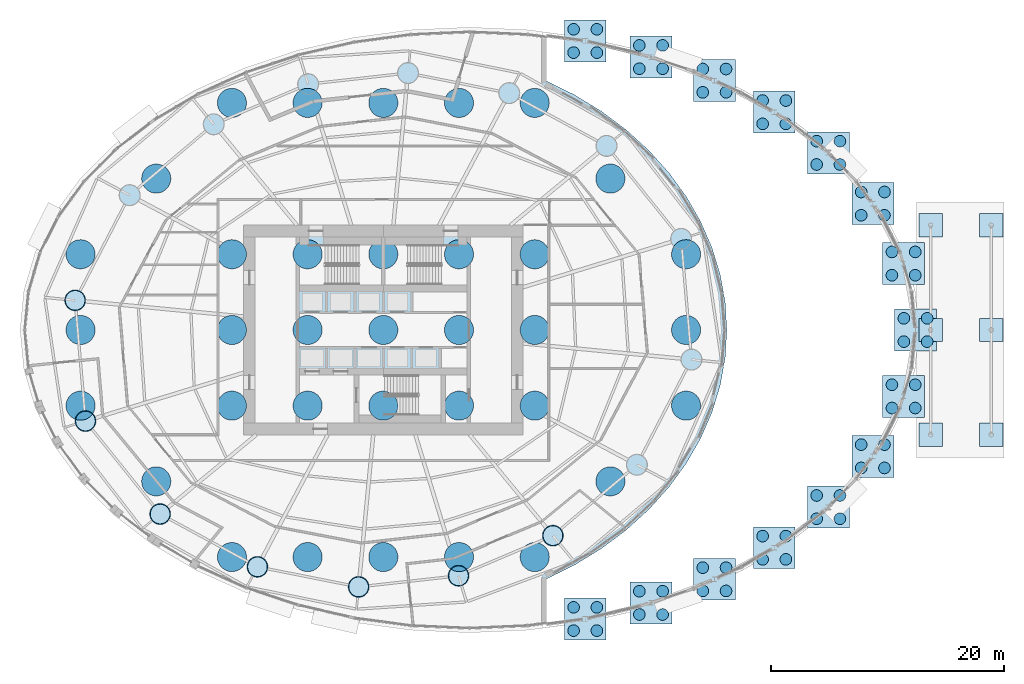
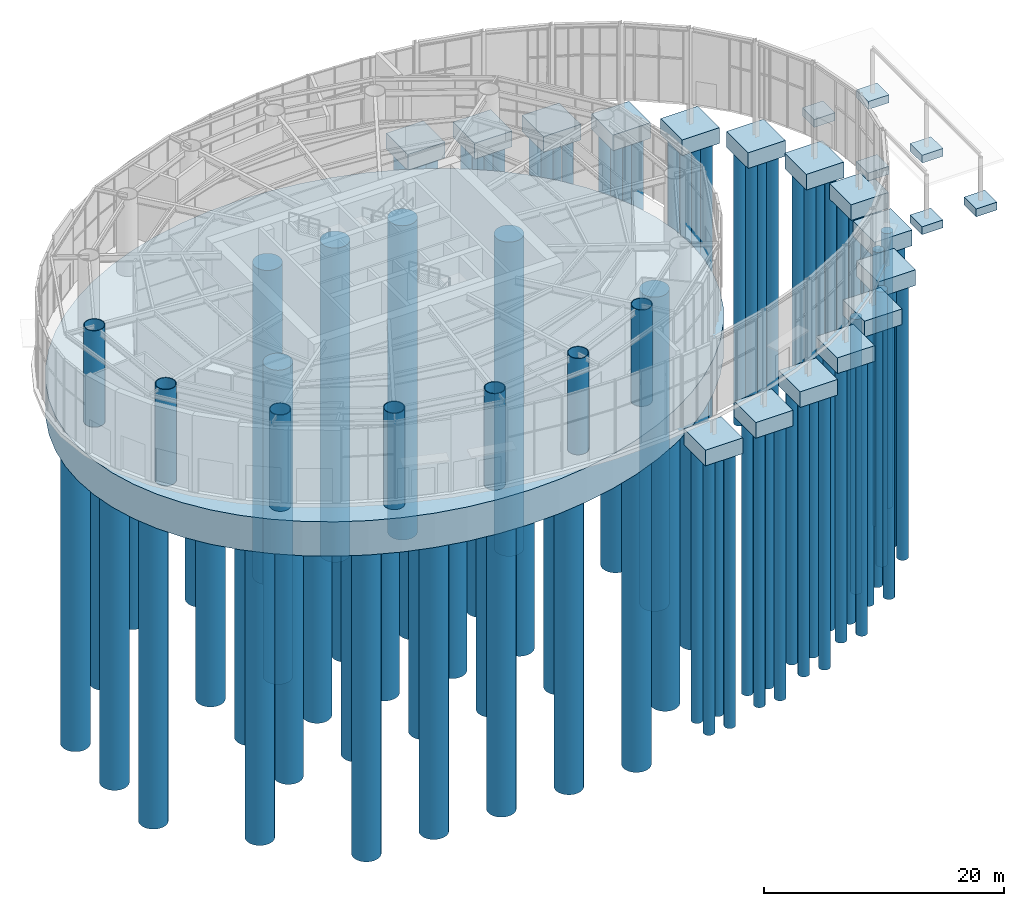
# One storey, part 1 of 27: 95 piles, 22 footings, 7 columns.
"""IFC4 building model written with IfcOpenShell, lengths in metres."""

import ifcopenshell
import ifcopenshell.guid

model = None  # the IFC model being written
_history = None  # IfcOwnerHistory: only IFC2X3 demands one
_inside = {}  # id of a spatial element -> (the spatial element, [elements in it])
_under = {}  # id of a project, library or spatial element -> (it, [spatial elements below it])
_declared = {}  # id of a project -> (the project, [libraries it declares])
_typed = {}  # id of a type object -> (the type object, [elements of that type])
_made_of = {}  # id of a material, layer set ... -> (it, [elements and type objects made of it])


def new_model(schema):
    """Start an empty IFC model of exactly this schema.

    Asked for "IFC4X3", IfcOpenShell would pick the latest addendum, in which some entities
    have other attributes; the version numbers below select the first issue.
    IFC2X3 requires an IfcOwnerHistory on every rooted entity: one is made here for all.
    """
    global model, _history
    if schema == "IFC4X3":
        model = ifcopenshell.file(schema_version=(4, 3, 0, 0))
    else:
        model = ifcopenshell.file(schema=schema)
    _inside.clear()
    _under.clear()
    _declared.clear()
    _typed.clear()
    _made_of.clear()
    _history = None
    if model.schema == "IFC2X3":
        org = make("IfcOrganization", Name="unknown")
        user = make(
            "IfcPersonAndOrganization",
            ThePerson=make("IfcPerson", FamilyName="unknown"),
            TheOrganization=org,
        )
        app = make(
            "IfcApplication",
            ApplicationDeveloper=org,
            Version="unknown",
            ApplicationFullName="unknown",
            ApplicationIdentifier="unknown",
        )
        _history = make(
            "IfcOwnerHistory",
            OwningUser=user,
            OwningApplication=app,
            ChangeAction="ADDED",
            CreationDate=0,
        )
    return model


def make(cls, **values):
    """One entity of the class cls with the attributes given. An attribute that is None is left unset."""
    return model.create_entity(
        cls, **{name: value for name, value in values.items() if value is not None}
    )


def rooted(cls, **values):
    """An entity with a GlobalId (a new one), such as an element, a storey or a relation."""
    return make(cls, GlobalId=ifcopenshell.guid.new(), OwnerHistory=_history, **values)


def si_unit(unit_type, name, prefix=None):
    """IfcSIUnit, for example si_unit("LENGTHUNIT", "METRE", prefix="MILLI")."""
    return make("IfcSIUnit", UnitType=unit_type, Prefix=prefix, Name=name)


def assignment(units):
    """IfcUnitAssignment: the units of a project."""
    return None if units is None else make("IfcUnitAssignment", Units=units)


def point(xyz):
    """IfcCartesianPoint."""
    return None if xyz is None else make("IfcCartesianPoint", Coordinates=xyz)


def direction(xyz):
    """IfcDirection."""
    return None if xyz is None else make("IfcDirection", DirectionRatios=xyz)


def frame(location, z_axis=None, x_axis=None):
    """IfcAxis2Placement3D, a coordinate frame: its origin and axes. An axis left out is left unset."""
    return make(
        "IfcAxis2Placement3D",
        Location=point(location),
        Axis=direction(z_axis),
        RefDirection=direction(x_axis),
    )


def frame_2d(location, x_axis=None):
    """IfcAxis2Placement2D, a coordinate frame in the plane: its origin and x axis."""
    return make(
        "IfcAxis2Placement2D", Location=point(location), RefDirection=direction(x_axis)
    )


def origin():
    """The frame at (0, 0, 0) with its axes left unset."""
    return frame((0.0, 0.0, 0.0))


def origin_2d():
    """The frame at (0, 0) in the plane with its x axis left unset."""
    return frame_2d((0.0, 0.0))


def place(relative_to, where):
    """IfcLocalPlacement: puts the frame where relative to a parent placement (None: the world)."""
    return make(
        "IfcLocalPlacement", PlacementRelTo=relative_to, RelativePlacement=where
    )


def context(
    kind, dimensions, precision=None, world=None, true_north=None, identifier=None
):
    """IfcGeometricRepresentationContext, for example the 3D "Model" context."""
    return make(
        "IfcGeometricRepresentationContext",
        ContextIdentifier=identifier,
        ContextType=kind,
        CoordinateSpaceDimension=dimensions,
        Precision=precision,
        WorldCoordinateSystem=world,
        TrueNorth=true_north,
    )


def subcontext(parent, identifier, kind, view, scale=None):
    """IfcGeometricRepresentationSubContext, for example "Body" below "Model"."""
    return make(
        "IfcGeometricRepresentationSubContext",
        ContextIdentifier=identifier,
        ContextType=kind,
        ParentContext=parent,
        TargetScale=scale,
        TargetView=view,
    )


def project(units=None, contexts=None):
    """IfcProject with its units and contexts."""
    return rooted(
        "IfcProject",
        Name="project",
        RepresentationContexts=contexts,
        UnitsInContext=assignment(units),
    )


def spatial(cls, under=None, at=None, **own):
    """A site, building, storey or space (cls), placed at a placement, below another one or the project."""
    s = rooted(cls, ObjectPlacement=at, **own)
    if under is not None:
        _under.setdefault(under.id(), (under, []))[1].append(s)
    return s


def polyline(points):
    """IfcPolyline through the points."""
    return make("IfcPolyline", Points=[point(p) for p in points])


def profile(cls, at=None, kind="AREA", **sizes):
    """A parametric profile (cls). Its sizes go by their IFC names, for example OverallWidth=200.0."""
    return make(cls, ProfileType=kind, Position=at, **sizes)


def rectangle(**sizes):
    """IfcRectangleProfileDef."""
    return profile("IfcRectangleProfileDef", **sizes)


def circle(**sizes):
    """IfcCircleProfileDef."""
    return profile("IfcCircleProfileDef", **sizes)


def hollow_circle(**sizes):
    """IfcCircleHollowProfileDef."""
    return profile("IfcCircleHollowProfileDef", **sizes)


def outline(outer, holes=None, kind="AREA"):
    """IfcArbitraryClosedProfileDef: a profile drawn as a closed curve; with holes, ...WithVoids."""
    if holes is None:
        return make("IfcArbitraryClosedProfileDef", ProfileType=kind, OuterCurve=outer)
    return make(
        "IfcArbitraryProfileDefWithVoids",
        ProfileType=kind,
        OuterCurve=outer,
        InnerCurves=holes,
    )


def extrude(swept, where, along, depth):
    """IfcExtrudedAreaSolid: the profile swept, set in the frame where, extruded along a direction by depth."""
    return make(
        "IfcExtrudedAreaSolid",
        SweptArea=swept,
        Position=where,
        ExtrudedDirection=direction(along),
        Depth=depth,
    )


def shape(context_of_items, identifier, shape_type, items):
    """IfcShapeRepresentation: the items that make up one representation, for example the "Body"."""
    return make(
        "IfcShapeRepresentation",
        ContextOfItems=context_of_items,
        RepresentationIdentifier=identifier,
        RepresentationType=shape_type,
        Items=items,
    )


def material(Name=None, Category=None):
    """IfcMaterial."""
    return make("IfcMaterial", Name=Name, Category=Category)


def layer(
    of_material, thickness, ventilated=None, Name=None, Category=None, Priority=None
):
    """IfcMaterialLayer: one layer of a wall or slab, of a material (None: an air gap)."""
    return make(
        "IfcMaterialLayer",
        Material=of_material,
        LayerThickness=thickness,
        IsVentilated=ventilated,
        Name=Name,
        Category=Category,
        Priority=Priority,
    )


def layer_set(layers, Name=None):
    """IfcMaterialLayerSet."""
    return make("IfcMaterialLayerSet", MaterialLayers=layers, LayerSetName=Name)


def material_profile(
    of_material, cross_section, Name=None, Category=None, Priority=None
):
    """IfcMaterialProfile: a cross section and its material."""
    return make(
        "IfcMaterialProfile",
        Name=Name,
        Material=of_material,
        Profile=cross_section,
        Priority=Priority,
        Category=Category,
    )


def profile_set(profiles, Name=None, composite=None):
    """IfcMaterialProfileSet."""
    return make(
        "IfcMaterialProfileSet",
        Name=Name,
        MaterialProfiles=profiles,
        CompositeProfile=composite,
    )


def made_of(thing, what):
    """Note that an element or type object is made of a material, layer set ...; save() writes the relation."""
    if what is not None:
        _made_of.setdefault(what.id(), (what, []))[1].append(thing)
    return thing


def type_object(cls, material=None, **own):
    """A type object (cls), such as IfcWallType, which elements share."""
    return made_of(rooted(cls, **own), material)


def element(
    cls,
    number,
    at=None,
    inside=None,
    cuts=None,
    type_object=None,
    material=None,
    context=None,
    identifier="Body",
    shape_type=None,
    held_by="IfcProductDefinitionShape",
    body=None,
    shapes=None,
    **own,
):
    """One element of the class cls, such as IfcWall. Its Tag is "e" and its number.

    at: its placement. inside: the storey or other place that contains it. cuts: it is an
    opening in that element (IfcRelVoidsElement). A single representation is given by context,
    identifier, shape_type and body (its items); several are given by shapes. held_by: the class
    of the entity that holds the representations. save() writes the other relations.
    """
    e = rooted(cls, Tag="e%d" % number, ObjectPlacement=at, **own)
    if body is not None:
        shapes = [shape(context, identifier, shape_type, body)]
    if shapes is not None:
        e.Representation = make(held_by, Representations=shapes)
    if inside is not None:
        _inside.setdefault(inside.id(), (inside, []))[1].append(e)
    if cuts is not None:
        rooted(
            "IfcRelVoidsElement", RelatingBuildingElement=cuts, RelatedOpeningElement=e
        )
    if type_object is not None:
        _typed.setdefault(type_object.id(), (type_object, []))[1].append(e)
    return made_of(e, material)


def aggregate(whole, parts):
    """IfcRelAggregates: a whole, such as a stair, and the parts it consists of."""
    return rooted("IfcRelAggregates", RelatingObject=whole, RelatedObjects=parts)


def save(model, path):
    """Write the relations noted so far, then the file.

    IfcRelAggregates (storeys below a building ...), IfcRelContainedInSpatialStructure (elements
    in a storey), IfcRelDefinesByType, IfcRelAssociatesMaterial and IfcRelDeclares: one each for
    every whole, place, type object, material and project.
    """
    for whole, parts in _under.values():
        aggregate(whole, parts)
    for where, things in _inside.values():
        rooted(
            "IfcRelContainedInSpatialStructure",
            RelatedElements=things,
            RelatingStructure=where,
        )
    for kind, things in _typed.values():
        rooted("IfcRelDefinesByType", RelatedObjects=things, RelatingType=kind)
    for what, things in _made_of.values():
        rooted("IfcRelAssociatesMaterial", RelatedObjects=things, RelatingMaterial=what)
    for by, libraries in _declared.values():
        rooted("IfcRelDeclares", RelatingContext=by, RelatedDefinitions=libraries)
    model.write(path)


model = new_model("IFC4")

# Units and contexts
model_context = context("Model", 3, precision=1e-05, world=origin(), true_north=direction((0.0, 1.0)))
body_context = subcontext(model_context, "Body", "Model", "MODEL_VIEW")
ifc_project = project(units=[si_unit("LENGTHUNIT", "METRE"), si_unit("AREAUNIT", "SQUARE_METRE"), si_unit("VOLUMEUNIT", "CUBIC_METRE"), si_unit("PLANEANGLEUNIT", "RADIAN"), si_unit("MASSUNIT", "GRAM", prefix="KILO")], contexts=[model_context])

# Site, building, storey
site_placement = place(None, origin())
site = spatial("IfcSite", under=ifc_project, at=site_placement, CompositionType="ELEMENT")
building_placement = place(site_placement, origin())
building = spatial("IfcBuilding", under=site, at=building_placement, Name="Vermilion Reach Broadcast Tower", CompositionType="ELEMENT")
storey_placement = place(building_placement, origin())
storey = spatial("IfcBuildingStorey", under=building, at=storey_placement, Name="L00", CompositionType="ELEMENT", Elevation=0.0)

# Piles
ifc_material_1 = material(Name="Concrete C45", Category="concrete")
ifc_material_profile_1 = material_profile(ifc_material_1, circle(Radius=0.5, at=origin_2d()), Name="Concrete C45 D1000")
ifc_profile_set_1 = profile_set([ifc_material_profile_1], Name="Concrete C45")
pile_type_1 = type_object("IfcPileType", Name="Bored pile Concrete C45 D1000", PredefinedType="BORED", material=ifc_profile_set_1)
for number, where, z_axis, x_axis, name in (
    (1, (10.337158203125, -25.81884765625, -3.449951171875), (0.0, 0.0, -1.0), (1.0, 0.0, 0.0), "Bored pile AP01-1"),
    (2, (12.337158203125, -25.81884765625, -3.449951171875), (0.0, 0.0, -1.0), (1.0, 0.0, 0.0), "Bored pile AP01-2"),
    (3, (10.337158203125, -23.81884765625, -3.449951171875), (0.0, 0.0, -1.0), (1.0, 0.0, 0.0), "Bored pile AP01-3"),
    (4, (12.337158203125, -23.81884765625, -3.449951171875), (0.0, 0.0, -1.0), (1.0, 0.0, 0.0), "Bored pile AP01-4"),
    (5, (15.984619140625, -24.43505859375, -3.449951171875), (0.0, 0.0, -1.0), (1.0, 0.0, 0.0), "Bored pile AP02-1"),
    (6, (17.984619140625, -24.43505859375, -3.449951171875), (0.0, 0.0, -1.0), (1.0, 0.0, 0.0), "Bored pile AP02-2"),
    (7, (15.984619140625, -22.43505859375, -3.449951171875), (0.0, 0.0, -1.0), (1.0, 0.0, 0.0), "Bored pile AP02-3"),
    (8, (17.984619140625, -22.43505859375, -3.449951171875), (0.0, 0.0, -1.0), (1.0, 0.0, 0.0), "Bored pile AP02-4"),
    (9, (21.43115234375, -22.408935546875, -3.449951171875), (0.0, 0.0, -1.0), (1.0, 0.0, 0.0), "Bored pile AP03-1"),
    (10, (23.43115234375, -22.408935546875, -3.449951171875), (0.0, 0.0, -1.0), (1.0, 0.0, 0.0), "Bored pile AP03-2"),
    (11, (21.43115234375, -20.408935546875, -3.449951171875), (0.0, 0.0, -1.0), (1.0, 0.0, 0.0), "Bored pile AP03-3"),
    (12, (23.43115234375, -20.408935546875, -3.449951171875), (0.0, 0.0, -1.0), (1.0, 0.0, 0.0), "Bored pile AP03-4"),
    (13, (26.570556640625, -19.70068359375, -3.449951171875), (0.0, 0.0, -1.0), (1.0, 0.0, 0.0), "Bored pile AP04-1"),
    (14, (28.570556640625, -19.70068359375, -3.449951171875), (0.0, 0.0, -1.0), (1.0, 0.0, 0.0), "Bored pile AP04-2"),
    (15, (26.570556640625, -17.70068359375, -3.449951171875), (0.0, 0.0, -1.0), (1.0, 0.0, 0.0), "Bored pile AP04-3"),
    (16, (28.570556640625, -17.70068359375, -3.449951171875), (0.0, 0.0, -1.0), (1.0, 0.0, 0.0), "Bored pile AP04-4"),
    (17, (31.211669921875, -16.213134765625, -3.449951171875), (0.0, 0.0, -1.0), (1.0, 0.0, 0.0), "Bored pile AP05-1"),
    (18, (33.211669921875, -16.213134765625, -3.449951171875), (0.0, 0.0, -1.0), (1.0, 0.0, 0.0), "Bored pile AP05-2"),
    (19, (31.211669921875, -14.213134765625, -3.449951171875), (0.0, 0.0, -1.0), (1.0, 0.0, 0.0), "Bored pile AP05-3"),
    (20, (33.211669921875, -14.213134765625, -3.449951171875), (0.0, 0.0, -1.0), (1.0, 0.0, 0.0), "Bored pile AP05-4"),
    (21, (35.033935546875, -11.847412109375, -3.449951171875), (0.0, 0.0, -1.0), (1.0, 0.0, 0.0), "Bored pile AP06-1"),
    (22, (37.033935546875, -11.847412109375, -3.449951171875), (0.0, 0.0, -1.0), (1.0, 0.0, 0.0), "Bored pile AP06-2"),
    (23, (35.033935546875, -9.847412109375, -3.449951171875), (0.0, 0.0, -1.0), (1.0, 0.0, 0.0), "Bored pile AP06-3"),
    (24, (37.033935546875, -9.847412109375, -3.449951171875), (0.0, 0.0, -1.0), (1.0, 0.0, 0.0), "Bored pile AP06-4"),
    (25, (37.6767578125, -6.701416015625, -3.449951171875), (0.0, 0.0, -1.0), (1.0, 0.0, 0.0), "Bored pile AP07-1"),
    (26, (39.6767578125, -6.701416015625, -3.449951171875), (0.0, 0.0, -1.0), (1.0, 0.0, 0.0), "Bored pile AP07-2"),
    (27, (37.6767578125, -4.701416015625, -3.449951171875), (0.0, 0.0, -1.0), (1.0, 0.0, 0.0), "Bored pile AP07-3"),
    (28, (39.6767578125, -4.701416015625, -3.449951171875), (0.0, 0.0, -1.0), (1.0, 0.0, 0.0), "Bored pile AP07-4"),
    (29, (38.699951171875, -1.0, -3.449951171875), (0.0, 0.0, -1.0), (1.0, 0.0, 0.0), "Bored pile AP08-1"),
    (30, (40.699951171875, -1.0, -3.449951171875), (0.0, 0.0, -1.0), (1.0, 0.0, 0.0), "Bored pile AP08-2"),
    (31, (38.699951171875, 1.0, -3.449951171875), (0.0, 0.0, -1.0), (1.0, 0.0, 0.0), "Bored pile AP08-3"),
    (32, (40.699951171875, 1.0, -3.449951171875), (0.0, 0.0, -1.0), (1.0, 0.0, 0.0), "Bored pile AP08-4"),
    (33, (37.6767578125, 4.701416015625, -3.449951171875), (0.0, 0.0, -1.0), (1.0, 0.0, 0.0), "Bored pile AP09-1"),
    (34, (39.6767578125, 4.701416015625, -3.449951171875), (0.0, 0.0, -1.0), (1.0, 0.0, 0.0), "Bored pile AP09-2"),
    (35, (37.6767578125, 6.701416015625, -3.449951171875), (0.0, 0.0, -1.0), (1.0, 0.0, 0.0), "Bored pile AP09-3"),
    (36, (39.6767578125, 6.701416015625, -3.449951171875), (0.0, 0.0, -1.0), (1.0, 0.0, 0.0), "Bored pile AP09-4"),
    (37, (35.033935546875, 9.847412109375, -3.449951171875), (0.0, 0.0, -1.0), (1.0, 0.0, 0.0), "Bored pile AP10-1"),
    (38, (37.033935546875, 9.847412109375, -3.449951171875), (0.0, 0.0, -1.0), (1.0, 0.0, 0.0), "Bored pile AP10-2"),
    (39, (35.033935546875, 11.847412109375, -3.449951171875), (0.0, 0.0, -1.0), (1.0, 0.0, 0.0), "Bored pile AP10-3"),
    (40, (37.033935546875, 11.847412109375, -3.449951171875), (0.0, 0.0, -1.0), (1.0, 0.0, 0.0), "Bored pile AP10-4"),
    (41, (31.211669921875, 14.213134765625, -3.449951171875), (0.0, 0.0, -1.0), (1.0, 0.0, 0.0), "Bored pile AP11-1"),
    (42, (33.211669921875, 14.213134765625, -3.449951171875), (0.0, 0.0, -1.0), (1.0, 0.0, 0.0), "Bored pile AP11-2"),
    (43, (31.211669921875, 16.213134765625, -3.449951171875), (0.0, 0.0, -1.0), (1.0, 0.0, 0.0), "Bored pile AP11-3"),
    (44, (33.211669921875, 16.213134765625, -3.449951171875), (0.0, 0.0, -1.0), (1.0, 0.0, 0.0), "Bored pile AP11-4"),
    (45, (26.570556640625, 17.70068359375, -3.449951171875), (0.0, 0.0, -1.0), (1.0, 0.0, 0.0), "Bored pile AP12-1"),
    (46, (28.570556640625, 17.70068359375, -3.449951171875), (0.0, 0.0, -1.0), (1.0, 0.0, 0.0), "Bored pile AP12-2"),
    (47, (26.570556640625, 19.70068359375, -3.449951171875), (0.0, 0.0, -1.0), (1.0, 0.0, 0.0), "Bored pile AP12-3"),
    (48, (28.570556640625, 19.70068359375, -3.449951171875), (0.0, 0.0, -1.0), (1.0, 0.0, 0.0), "Bored pile AP12-4"),
    (49, (21.43115234375, 20.408935546875, -3.449951171875), (0.0, 0.0, -1.0), (1.0, 0.0, 0.0), "Bored pile AP13-1"),
    (50, (23.43115234375, 20.408935546875, -3.449951171875), (0.0, 0.0, -1.0), (1.0, 0.0, 0.0), "Bored pile AP13-2"),
    (51, (21.43115234375, 22.408935546875, -3.449951171875), (0.0, 0.0, -1.0), (1.0, 0.0, 0.0), "Bored pile AP13-3"),
    (52, (23.43115234375, 22.408935546875, -3.449951171875), (0.0, 0.0, -1.0), (1.0, 0.0, 0.0), "Bored pile AP13-4"),
    (53, (15.984619140625, 22.43505859375, -3.449951171875), (0.0, 0.0, -1.0), (1.0, 0.0, 0.0), "Bored pile AP14-1"),
    (54, (17.984619140625, 22.43505859375, -3.449951171875), (0.0, 0.0, -1.0), (1.0, 0.0, 0.0), "Bored pile AP14-2"),
    (55, (15.984619140625, 24.43505859375, -3.449951171875), (0.0, 0.0, -1.0), (1.0, 0.0, 0.0), "Bored pile AP14-3"),
    (56, (17.984619140625, 24.43505859375, -3.449951171875), (0.0, 0.0, -1.0), (1.0, 0.0, 0.0), "Bored pile AP14-4"),
    (57, (10.337158203125, 23.81884765625, -3.449951171875), (0.0, 0.0, -1.0), (1.0, 0.0, 0.0), "Bored pile AP15-1"),
    (58, (12.337158203125, 23.81884765625, -3.449951171875), (0.0, 0.0, -1.0), (1.0, 0.0, 0.0), "Bored pile AP15-2"),
    (59, (10.337158203125, 25.81884765625, -3.449951171875), (0.0, 0.0, -1.0), (1.0, 0.0, 0.0), "Bored pile AP15-3"),
    (60, (12.337158203125, 25.81884765625, -3.449951171875), (0.0, 0.0, -1.0), (1.0, 0.0, 0.0), "Bored pile AP15-4"),
):
    element("IfcPile", number, at=place(storey_placement, frame(where, z_axis=z_axis, x_axis=x_axis)), inside=storey, type_object=pile_type_1, Name=name, PredefinedType="BORED", context=body_context, shape_type="SweptSolid", body=[
        extrude(circle(Radius=0.5, at=origin_2d()), origin(), (0.0, 0.0, 1.0), 28.0),
    ])
ifc_material_2 = material(Name="Concrete C45", Category="concrete")
ifc_material_profile_2 = material_profile(ifc_material_2, circle(Radius=1.25, at=origin_2d()), Name="Concrete C45 D2500")
ifc_profile_set_2 = profile_set([ifc_material_profile_2], Name="Concrete C45")
pile_type_2 = type_object("IfcPileType", Name="Bored pile Concrete C45 D2500", PredefinedType="BORED", material=ifc_profile_set_2)
for number, where, z_axis, x_axis, name in (
    (61, (-32.0, -6.5, -5.35009765625), (0.0, 0.0, -1.0), (1.0, 0.0, 0.0), "Bored pile P01"),
    (62, (-32.0, 0.0, -5.35009765625), (0.0, 0.0, -1.0), (1.0, 0.0, 0.0), "Bored pile P02"),
    (63, (-32.0, 6.5, -5.35009765625), (0.0, 0.0, -1.0), (1.0, 0.0, 0.0), "Bored pile P03"),
    (64, (-25.5, -13.0, -5.35009765625), (0.0, 0.0, -1.0), (1.0, 0.0, 0.0), "Bored pile P04"),
    (65, (-25.5, 13.0, -5.35009765625), (0.0, 0.0, -1.0), (1.0, 0.0, 0.0), "Bored pile P05"),
    (66, (-19.0, -19.5, -5.35009765625), (0.0, 0.0, -1.0), (1.0, 0.0, 0.0), "Bored pile P06"),
    (67, (-19.0, -6.5, -5.35009765625), (0.0, 0.0, -1.0), (1.0, 0.0, 0.0), "Bored pile P07"),
    (68, (-19.0, 0.0, -5.35009765625), (0.0, 0.0, -1.0), (1.0, 0.0, 0.0), "Bored pile P08"),
    (69, (-19.0, 6.5, -5.35009765625), (0.0, 0.0, -1.0), (1.0, 0.0, 0.0), "Bored pile P09"),
    (70, (-19.0, 19.5, -5.35009765625), (0.0, 0.0, -1.0), (1.0, 0.0, 0.0), "Bored pile P10"),
    (71, (-12.5, -19.5, -5.35009765625), (0.0, 0.0, -1.0), (1.0, 0.0, 0.0), "Bored pile P11"),
    (72, (-12.5, -6.5, -5.35009765625), (0.0, 0.0, -1.0), (1.0, 0.0, 0.0), "Bored pile P12"),
    (73, (-12.5, 0.0, -5.35009765625), (0.0, 0.0, -1.0), (1.0, 0.0, 0.0), "Bored pile P13"),
    (74, (-12.5, 6.5, -5.35009765625), (0.0, 0.0, -1.0), (1.0, 0.0, 0.0), "Bored pile P14"),
    (75, (-12.5, 19.5, -5.35009765625), (0.0, 0.0, -1.0), (1.0, 0.0, 0.0), "Bored pile P15"),
    (76, (-6.0, -19.5, -5.35009765625), (0.0, 0.0, -1.0), (1.0, 0.0, 0.0), "Bored pile P16"),
    (77, (-6.0, -6.5, -5.35009765625), (0.0, 0.0, -1.0), (1.0, 0.0, 0.0), "Bored pile P17"),
    (78, (-6.0, 0.0, -5.35009765625), (0.0, 0.0, -1.0), (1.0, 0.0, 0.0), "Bored pile P18"),
    (79, (-6.0, 6.5, -5.35009765625), (0.0, 0.0, -1.0), (1.0, 0.0, 0.0), "Bored pile P19"),
    (80, (-6.0, 19.5, -5.35009765625), (0.0, 0.0, -1.0), (1.0, 0.0, 0.0), "Bored pile P20"),
    (81, (0.5, -19.5, -5.35009765625), (0.0, 0.0, -1.0), (1.0, 0.0, 0.0), "Bored pile P21"),
    (82, (0.5, -6.5, -5.35009765625), (0.0, 0.0, -1.0), (1.0, 0.0, 0.0), "Bored pile P22"),
    (83, (0.5, 0.0, -5.35009765625), (0.0, 0.0, -1.0), (1.0, 0.0, 0.0), "Bored pile P23"),
    (84, (0.5, 6.5, -5.35009765625), (0.0, 0.0, -1.0), (1.0, 0.0, 0.0), "Bored pile P24"),
    (85, (0.5, 19.5, -5.35009765625), (0.0, 0.0, -1.0), (1.0, 0.0, 0.0), "Bored pile P25"),
    (86, (7.0, -19.5, -5.35009765625), (0.0, 0.0, -1.0), (1.0, 0.0, 0.0), "Bored pile P26"),
    (87, (7.0, -6.5, -5.35009765625), (0.0, 0.0, -1.0), (1.0, 0.0, 0.0), "Bored pile P27"),
    (88, (7.0, 0.0, -5.35009765625), (0.0, 0.0, -1.0), (1.0, 0.0, 0.0), "Bored pile P28"),
    (89, (7.0, 6.5, -5.35009765625), (0.0, 0.0, -1.0), (1.0, 0.0, 0.0), "Bored pile P29"),
    (90, (7.0, 19.5, -5.35009765625), (0.0, 0.0, -1.0), (1.0, 0.0, 0.0), "Bored pile P30"),
    (91, (13.5, -13.0, -5.35009765625), (0.0, 0.0, -1.0), (1.0, 0.0, 0.0), "Bored pile P31"),
    (92, (13.5, 13.0, -5.35009765625), (0.0, 0.0, -1.0), (1.0, 0.0, 0.0), "Bored pile P32"),
    (93, (20.0, -6.5, -5.35009765625), (0.0, 0.0, -1.0), (1.0, 0.0, 0.0), "Bored pile P33"),
    (94, (20.0, 0.0, -5.35009765625), (0.0, 0.0, -1.0), (1.0, 0.0, 0.0), "Bored pile P34"),
    (95, (20.0, 6.5, -5.35009765625), (0.0, 0.0, -1.0), (1.0, 0.0, 0.0), "Bored pile P35"),
):
    element("IfcPile", number, at=place(storey_placement, frame(where, z_axis=z_axis, x_axis=x_axis)), inside=storey, type_object=pile_type_2, Name=name, PredefinedType="BORED", context=body_context, shape_type="SweptSolid", body=[
        extrude(circle(Radius=1.25, at=origin_2d()), origin(), (0.0, 0.0, 1.0), 32.0),
    ])

# Footings
ifc_material_3 = material(Name="Concrete C40/50", Category="concrete")
footing_type_1 = type_object("IfcFootingType", Name="Canopy pad footing 2000", PredefinedType="PAD_FOOTING", material=ifc_material_3)
for number, where, z_axis, x_axis, name in (
    (96, (41.0, -9.0, -0.7998046875), (0.0, 0.0, 1.0), (1.0, 0.0, 0.0), "Canopy footing 1.1"),
    (97, (41.0, 0.0, -0.7998046875), (0.0, 0.0, 1.0), (1.0, 0.0, 0.0), "Canopy footing 1.2"),
    (98, (41.0, 9.0, -0.7998046875), (0.0, 0.0, 1.0), (1.0, 0.0, 0.0), "Canopy footing 1.3"),
    (99, (46.199951171875, -9.0, -0.7998046875), (0.0, 0.0, 1.0), (1.0, 0.0, 0.0), "Canopy footing 2.1"),
    (100, (46.199951171875, 0.0, -0.7998046875), (0.0, 0.0, 1.0), (1.0, 0.0, 0.0), "Canopy footing 2.2"),
    (101, (46.199951171875, 9.0, -0.7998046875), (0.0, 0.0, 1.0), (1.0, 0.0, 0.0), "Canopy footing 2.3"),
):
    element("IfcFooting", number, at=place(storey_placement, frame(where, z_axis=z_axis, x_axis=x_axis)), inside=storey, type_object=footing_type_1, Name=name, PredefinedType="PAD_FOOTING", context=body_context, shape_type="SweptSolid", body=[
        extrude(rectangle(XDim=2.0, YDim=2.0, at=origin_2d()), origin(), (0.0, 0.0, 1.0), 0.800048828125),
    ])
ifc_material_4 = material(Name="Concrete C45", Category="concrete")
footing_type_2 = type_object("IfcFootingType", Name="Pile cap Concrete C45 3600x3600x1600", PredefinedType="PILE_CAP", material=ifc_material_4)
for number, where, z_axis, x_axis, name in (
    (102, (11.337158203125, -24.81884765625, -3.60009765625), (0.0, 0.0, 1.0), (1.0, 0.0, 0.0), "Pile cap AP01"),
    (103, (16.984619140625, -23.43505859375, -3.60009765625), (0.0, 0.0, 1.0), (1.0, 0.0, 0.0), "Pile cap AP02"),
    (104, (22.43115234375, -21.408935546875, -3.60009765625), (0.0, 0.0, 1.0), (1.0, 0.0, 0.0), "Pile cap AP03"),
    (105, (27.570556640625, -18.70068359375, -3.60009765625), (0.0, 0.0, 1.0), (1.0, 0.0, 0.0), "Pile cap AP04"),
    (106, (32.211669921875, -15.213134765625, -3.60009765625), (0.0, 0.0, 1.0), (1.0, 0.0, 0.0), "Pile cap AP05"),
    (107, (36.033935546875, -10.847412109375, -3.60009765625), (0.0, 0.0, 1.0), (1.0, 0.0, 0.0), "Pile cap AP06"),
    (108, (38.6767578125, -5.701416015625, -3.60009765625), (0.0, 0.0, 1.0), (1.0, 0.0, 0.0), "Pile cap AP07"),
    (109, (39.699951171875, 0.0, -3.60009765625), (0.0, 0.0, 1.0), (1.0, 0.0, 0.0), "Pile cap AP08"),
    (110, (38.6767578125, 5.701416015625, -3.60009765625), (0.0, 0.0, 1.0), (1.0, 0.0, 0.0), "Pile cap AP09"),
    (111, (36.033935546875, 10.847412109375, -3.60009765625), (0.0, 0.0, 1.0), (1.0, 0.0, 0.0), "Pile cap AP10"),
    (112, (32.211669921875, 15.213134765625, -3.60009765625), (0.0, 0.0, 1.0), (1.0, 0.0, 0.0), "Pile cap AP11"),
    (113, (27.570556640625, 18.70068359375, -3.60009765625), (0.0, 0.0, 1.0), (1.0, 0.0, 0.0), "Pile cap AP12"),
    (114, (22.43115234375, 21.408935546875, -3.60009765625), (0.0, 0.0, 1.0), (1.0, 0.0, 0.0), "Pile cap AP13"),
    (115, (16.984619140625, 23.43505859375, -3.60009765625), (0.0, 0.0, 1.0), (1.0, 0.0, 0.0), "Pile cap AP14"),
    (116, (11.337158203125, 24.81884765625, -3.60009765625), (0.0, 0.0, 1.0), (1.0, 0.0, 0.0), "Pile cap AP15"),
):
    element("IfcFooting", number, at=place(storey_placement, frame(where, z_axis=z_axis, x_axis=x_axis)), inside=storey, type_object=footing_type_2, Name=name, PredefinedType="PILE_CAP", context=body_context, shape_type="SweptSolid", body=[
        extrude(rectangle(XDim=3.60009765625, YDim=3.60009765625, at=origin_2d()), origin(), (0.0, 0.0, 1.0), 1.60009765625),
    ])
ifc_material_5 = material(Name="Concrete C45", Category="concrete")
ifc_layer = layer(ifc_material_5, 3.5)
ifc_layer_set = layer_set([ifc_layer], Name="Piled raft Concrete C45 3500")
footing_type_3 = type_object("IfcFootingType", Name="Piled raft Concrete C45 3500", PredefinedType="PILE_CAP", material=ifc_layer_set)
footing_placement = place(storey_placement, frame((0.0, 0.0, -5.5)))
element("IfcFooting", 117, at=footing_placement, inside=storey, type_object=footing_type_3, Name="Piled raft", PredefinedType="PILE_CAP", context=body_context, shape_type="SweptSolid", body=[
    extrude(outline(polyline([(23.5, 0.0), (23.35791015625, 2.3818359375), (22.93310546875, 4.74072265625), (22.229736328125, 7.053955078125), (21.25439453125, 9.29931640625), (20.0166015625, 11.454833984375), (18.5283203125, 13.500244140625), (16.8037109375, 15.415771484375), (14.859619140625, 17.1826171875), (12.714599609375, 18.7841796875), (10.389404296875, 20.20458984375), (7.90625, 21.4306640625), (5.2890625, 22.4501953125), (2.5634765625, 23.253662109375), (-0.244873046875, 23.8330078125), (-3.1083984375, 24.18310546875), (-6.0, 24.300048828125), (-8.8916015625, 24.18310546875), (-11.755126953125, 23.8330078125), (-14.5634765625, 23.253662109375), (-17.2890625, 22.4501953125), (-19.90625, 21.4306640625), (-22.389404296875, 20.20458984375), (-24.714599609375, 18.7841796875), (-26.859619140625, 17.1826171875), (-28.8037109375, 15.415771484375), (-30.5283203125, 13.500244140625), (-32.0166015625, 11.454833984375), (-33.25439453125, 9.29931640625), (-34.229736328125, 7.053955078125), (-34.93310546875, 4.74072265625), (-35.35791015625, 2.3818359375), (-35.5, 0.0), (-35.35791015625, -2.3818359375), (-34.93310546875, -4.74072265625), (-34.229736328125, -7.053955078125), (-33.25439453125, -9.29931640625), (-32.0166015625, -11.454833984375), (-30.5283203125, -13.500244140625), (-28.8037109375, -15.415771484375), (-26.859619140625, -17.1826171875), (-24.714599609375, -18.7841796875), (-22.389404296875, -20.20458984375), (-19.90625, -21.4306640625), (-17.2890625, -22.4501953125), (-14.5634765625, -23.253662109375), (-11.755126953125, -23.8330078125), (-8.8916015625, -24.18310546875), (-6.0, -24.300048828125), (-3.1083984375, -24.18310546875), (-0.244873046875, -23.8330078125), (2.5634765625, -23.253662109375), (5.2890625, -22.4501953125), (7.90625, -21.4306640625), (10.389404296875, -20.20458984375), (12.714599609375, -18.7841796875), (14.859619140625, -17.1826171875), (16.8037109375, -15.415771484375), (18.5283203125, -13.500244140625), (20.0166015625, -11.454833984375), (21.25439453125, -9.29931640625), (22.229736328125, -7.053955078125), (22.93310546875, -4.74072265625), (23.35791015625, -2.3818359375), (23.5, 0.0)])), origin(), (0.0, 0.0, 1.0), 3.5),
])

# Columns
ifc_material_6 = material(Name="Concrete C80 infill in steel S460NL tube", Category="concrete")
ifc_material_profile_3 = material_profile(ifc_material_6, hollow_circle(Radius=0.89990234375, WallThickness=0.06005859375, at=origin_2d()), Name="Concrete C80 infill in steel S460NL tube CFT 1800x60")
ifc_profile_set_3 = profile_set([ifc_material_profile_3], Name="Concrete C80 infill in steel S460NL tube")
column_type = type_object("IfcColumnType", Name="MC1 CFT 1800x60", PredefinedType="COLUMN", material=ifc_profile_set_3)
for number, where, z_axis, x_axis, name in (
    (118, (-32.464111328125, 2.54345703125, -2.0), (0.0, 0.0, 1.0), (1.0, 0.0, 0.0), "Mega-column MC1-08"),
    (119, (-31.575439453125, -7.823974609375, -2.0), (0.0, 0.0, 1.0), (1.0, 0.0, 0.0), "Mega-column MC1-09"),
    (120, (-25.166259765625, -15.804931640625, -2.0), (0.0, 0.0, 1.0), (1.0, 0.0, 0.0), "Mega-column MC1-10"),
    (121, (-16.809814453125, -20.3388671875, -2.0), (0.0, 0.0, 1.0), (1.0, 0.0, 0.0), "Mega-column MC1-11"),
    (122, (-8.12060546875, -22.06396484375, -2.0), (0.0, 0.0, 1.0), (1.0, 0.0, 0.0), "Mega-column MC1-12"),
    (123, (0.45751953125, -21.108154296875, -2.0), (0.0, 0.0, 1.0), (1.0, 0.0, 0.0), "Mega-column MC1-13"),
    (124, (8.563232421875, -17.660400390625, -2.0), (0.0, 0.0, 1.0), (1.0, 0.0, 0.0), "Mega-column MC1-14"),
):
    element("IfcColumn", number, at=place(storey_placement, frame(where, z_axis=z_axis, x_axis=x_axis)), inside=storey, type_object=column_type, Name=name, PredefinedType="COLUMN", context=body_context, shape_type="SweptSolid", body=[
        extrude(hollow_circle(Radius=0.89990234375, WallThickness=0.06005859375, at=origin_2d()), origin(), (0.0, 0.0, 1.0), 9.800048828125),
    ])

save(model, "model.ifc")
